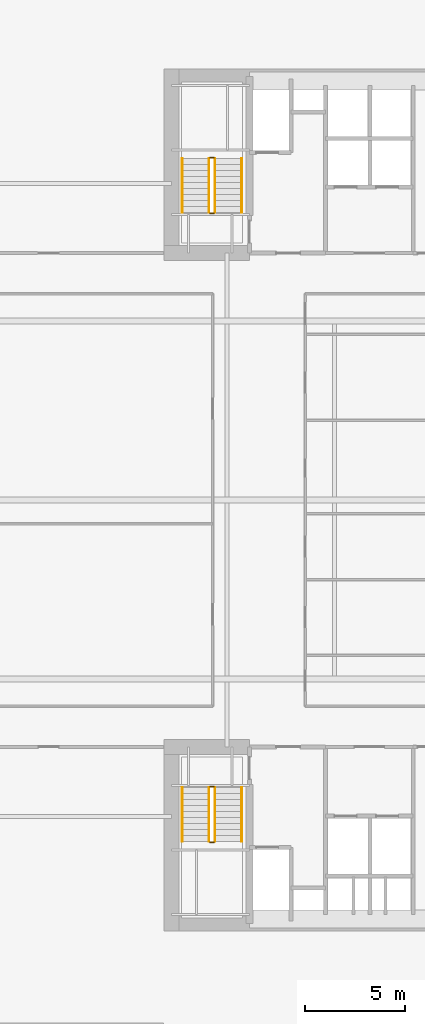
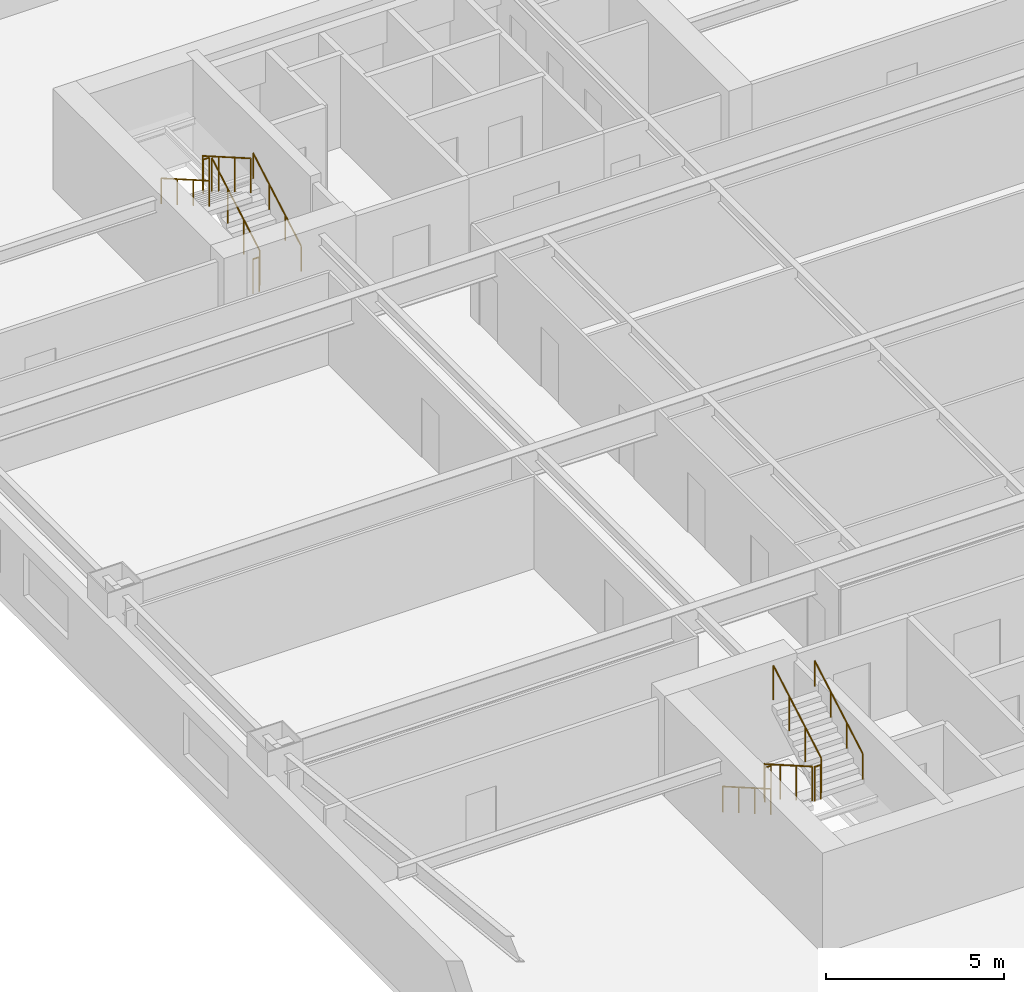
# One storey, part 17 of 18: 12 railings.
"""IFC4 building model written with IfcOpenShell, lengths in metres."""

from ifc_helpers import new_model, si_unit, direction, frame, origin, origin_2d, place, context, subcontext, project, spatial, circle, extrude, material, type_object, element, save


model = new_model("IFC4")

# Units and contexts
model_context = context("Model", 3, precision=1e-05, world=origin(), true_north=direction((0.0, 1.0)))
body_context = subcontext(model_context, "Body", "Model", "MODEL_VIEW")
ifc_project = project(units=[si_unit("LENGTHUNIT", "METRE"), si_unit("AREAUNIT", "SQUARE_METRE"), si_unit("VOLUMEUNIT", "CUBIC_METRE"), si_unit("PLANEANGLEUNIT", "RADIAN"), si_unit("MASSUNIT", "GRAM", prefix="KILO")], contexts=[model_context])

# Site, building, storey
site_placement = place(None, origin())
site = spatial("IfcSite", under=ifc_project, at=site_placement, CompositionType="ELEMENT")
building_placement = place(site_placement, origin())
building = spatial("IfcBuilding", under=site, at=building_placement, Name="Qiaolan Cultural Towers", CompositionType="ELEMENT")
storey_placement = place(building_placement, frame((0.0, 0.0, 74.75)))
storey = spatial("IfcBuildingStorey", under=building, at=storey_placement, Name="L18", CompositionType="ELEMENT", Elevation=74.75)

# Railings
ifc_material_1 = material(Name="Galvanized Painted Steel Stair Guardrail", Category="steel")
railing_type_1 = type_object("IfcRailingType", Name="RL-STAIR-GRD", PredefinedType="GUARDRAIL", material=ifc_material_1)
railing_1_placement = place(storey_placement, frame((23.68994140625, 19.550048828125, 0.172607421875)))
element("IfcRailing", 1, at=railing_1_placement, inside=storey, type_object=railing_type_1, Name="L18 ST-W1 stair guard 1", PredefinedType="GUARDRAIL", context=body_context, shape_type="SweptSolid", body=[
    extrude(circle(Radius=0.02392578125, at=origin_2d()), frame((0.0, 0.0, 1.17578125), z_axis=(0.0, -0.866903762492, 0.498475542607), x_axis=(1.0, 0.0, 0.0)), (0.0, 0.0, 1.0), 3.114501953125),
    extrude(circle(Radius=0.02099609375, at=origin_2d()), origin(), (0.0, 0.0, 1.0), 1.15185546875),
    extrude(circle(Radius=0.02099609375, at=origin_2d()), frame((0.0, -0.89990234375, 0.517578125)), (0.0, 0.0, 1.0), 1.15185546875),
    extrude(circle(Radius=0.02099609375, at=origin_2d()), frame((0.0, -1.800048828125, 1.034912109375)), (0.0, 0.0, 1.0), 1.15185546875),
    extrude(circle(Radius=0.02099609375, at=origin_2d()), frame((0.0, -2.699951171875, 1.552490234375)), (0.0, 0.0, 1.0), 1.15185546875),
])
railing_2_placement = place(storey_placement, frame((23.739990234375, 16.800048828125, 1.72509765625)))
element("IfcRailing", 2, at=railing_2_placement, inside=storey, type_object=railing_type_1, Name="L18 ST-W1 stair guard 2", PredefinedType="GUARDRAIL", context=body_context, shape_type="SweptSolid", body=[
    extrude(circle(Radius=0.02392578125, at=origin_2d()), frame((0.0, 0.0, 1.17578125), z_axis=(1.0, 0.0, 0.0), x_axis=(0.0, 1.0, 0.0)), (0.0, 0.0, 1.0), 0.199951171875),
    extrude(circle(Radius=0.02099609375, at=origin_2d()), origin(), (0.0, 0.0, 1.0), 1.15185546875),
    extrude(circle(Radius=0.02099609375, at=origin_2d()), frame((0.199951171875, 0.0, 0.0)), (0.0, 0.0, 1.0), 1.15185546875),
])
railing_3_placement = place(storey_placement, frame((23.989990234375, 16.85009765625, 1.8974609375)))
element("IfcRailing", 3, at=railing_3_placement, inside=storey, type_object=railing_type_1, Name="L18 ST-W1 stair guard 3", PredefinedType="GUARDRAIL", context=body_context, shape_type="SweptSolid", body=[
    extrude(circle(Radius=0.02392578125, at=origin_2d()), frame((0.0, 0.0, 1.17578125), z_axis=(0.0, 0.866903762492, 0.498475542607), x_axis=(-1.0, 0.0, 0.0)), (0.0, 0.0, 1.0), 3.114501953125),
    extrude(circle(Radius=0.02099609375, at=origin_2d()), origin(), (0.0, 0.0, 1.0), 1.15185546875),
    extrude(circle(Radius=0.02099609375, at=origin_2d()), frame((0.0, 0.89990234375, 0.517578125)), (0.0, 0.0, 1.0), 1.15185546875),
    extrude(circle(Radius=0.02099609375, at=origin_2d()), frame((0.0, 1.800048828125, 1.034912109375)), (0.0, 0.0, 1.0), 1.15185546875),
    extrude(circle(Radius=0.02099609375, at=origin_2d()), frame((0.0, 2.699951171875, 1.552490234375)), (0.0, 0.0, 1.0), 1.15185546875),
])
railing_4_placement = place(storey_placement, frame((23.739990234375, 19.60009765625, 0.0)))
element("IfcRailing", 4, at=railing_4_placement, inside=storey, type_object=railing_type_1, Name="L18 ST-W1 stair guard 4", PredefinedType="GUARDRAIL", context=body_context, shape_type="SweptSolid", body=[
    extrude(circle(Radius=0.02392578125, at=origin_2d()), frame((0.0, 0.0, 1.17578125), z_axis=(1.0, 0.0, 0.0), x_axis=(0.0, 1.0, 0.0)), (0.0, 0.0, 1.0), 0.199951171875),
    extrude(circle(Radius=0.02099609375, at=origin_2d()), origin(), (0.0, 0.0, 1.0), 1.15185546875),
    extrude(circle(Radius=0.02099609375, at=origin_2d()), frame((0.199951171875, 0.0, 0.0)), (0.0, 0.0, 1.0), 1.15185546875),
])
railing_5_placement = place(storey_placement, frame((23.989990234375, 48.449951171875, 0.172607421875)))
element("IfcRailing", 5, at=railing_5_placement, inside=storey, type_object=railing_type_1, Name="L18 ST-W2 stair guard 1", PredefinedType="GUARDRAIL", context=body_context, shape_type="SweptSolid", body=[
    extrude(circle(Radius=0.02392578125, at=origin_2d()), frame((0.0, 0.0, 1.17578125), z_axis=(0.0, 0.866903762492, 0.498475542607), x_axis=(-1.0, 0.0, 0.0)), (0.0, 0.0, 1.0), 3.114501953125),
    extrude(circle(Radius=0.02099609375, at=origin_2d()), origin(), (0.0, 0.0, 1.0), 1.15185546875),
    extrude(circle(Radius=0.02099609375, at=origin_2d()), frame((0.0, 0.89990234375, 0.517578125)), (0.0, 0.0, 1.0), 1.15185546875),
    extrude(circle(Radius=0.02099609375, at=origin_2d()), frame((0.0, 1.800048828125, 1.034912109375)), (0.0, 0.0, 1.0), 1.15185546875),
    extrude(circle(Radius=0.02099609375, at=origin_2d()), frame((0.0, 2.699951171875, 1.552490234375)), (0.0, 0.0, 1.0), 1.15185546875),
])
railing_6_placement = place(storey_placement, frame((23.93994140625, 51.199951171875, 1.72509765625)))
element("IfcRailing", 6, at=railing_6_placement, inside=storey, type_object=railing_type_1, Name="L18 ST-W2 stair guard 2", PredefinedType="GUARDRAIL", context=body_context, shape_type="SweptSolid", body=[
    extrude(circle(Radius=0.02392578125, at=origin_2d()), frame((0.0, 0.0, 1.17578125), z_axis=(-1.0, 0.0, 0.0), x_axis=(0.0, -1.0, 0.0)), (0.0, 0.0, 1.0), 0.199951171875),
    extrude(circle(Radius=0.02099609375, at=origin_2d()), origin(), (0.0, 0.0, 1.0), 1.15185546875),
    extrude(circle(Radius=0.02099609375, at=origin_2d()), frame((-0.199951171875, 0.0, 0.0)), (0.0, 0.0, 1.0), 1.15185546875),
])
railing_7_placement = place(storey_placement, frame((23.68994140625, 51.14990234375, 1.8974609375)))
element("IfcRailing", 7, at=railing_7_placement, inside=storey, type_object=railing_type_1, Name="L18 ST-W2 stair guard 3", PredefinedType="GUARDRAIL", context=body_context, shape_type="SweptSolid", body=[
    extrude(circle(Radius=0.02392578125, at=origin_2d()), frame((0.0, 0.0, 1.17578125), z_axis=(0.0, -0.866903762492, 0.498475542607), x_axis=(1.0, 0.0, 0.0)), (0.0, 0.0, 1.0), 3.114501953125),
    extrude(circle(Radius=0.02099609375, at=origin_2d()), origin(), (0.0, 0.0, 1.0), 1.15185546875),
    extrude(circle(Radius=0.02099609375, at=origin_2d()), frame((0.0, -0.89990234375, 0.517578125)), (0.0, 0.0, 1.0), 1.15185546875),
    extrude(circle(Radius=0.02099609375, at=origin_2d()), frame((0.0, -1.800048828125, 1.034912109375)), (0.0, 0.0, 1.0), 1.15185546875),
    extrude(circle(Radius=0.02099609375, at=origin_2d()), frame((0.0, -2.699951171875, 1.552490234375)), (0.0, 0.0, 1.0), 1.15185546875),
])
railing_8_placement = place(storey_placement, frame((23.93994140625, 48.39990234375, 0.0)))
element("IfcRailing", 8, at=railing_8_placement, inside=storey, type_object=railing_type_1, Name="L18 ST-W2 stair guard 4", PredefinedType="GUARDRAIL", context=body_context, shape_type="SweptSolid", body=[
    extrude(circle(Radius=0.02392578125, at=origin_2d()), frame((0.0, 0.0, 1.17578125), z_axis=(-1.0, 0.0, 0.0), x_axis=(0.0, -1.0, 0.0)), (0.0, 0.0, 1.0), 0.199951171875),
    extrude(circle(Radius=0.02099609375, at=origin_2d()), origin(), (0.0, 0.0, 1.0), 1.15185546875),
    extrude(circle(Radius=0.02099609375, at=origin_2d()), frame((-0.199951171875, 0.0, 0.0)), (0.0, 0.0, 1.0), 1.15185546875),
])
ifc_material_2 = material(Name="Stainless Steel S30408 Tubular Handrail", Category="steel")
railing_type_2 = type_object("IfcRailingType", Name="RL-STAIR-HR", PredefinedType="HANDRAIL", material=ifc_material_2)
railing_9_placement = place(storey_placement, frame((22.35009765625, 19.550048828125, 0.172607421875)))
element("IfcRailing", 9, at=railing_9_placement, inside=storey, type_object=railing_type_2, Name="L18 ST-W1 stair handrail 1", PredefinedType="HANDRAIL", context=body_context, shape_type="SweptSolid", body=[
    extrude(circle(Radius=0.02392578125, at=origin_2d()), frame((0.0, 0.0, 0.8759765625), z_axis=(0.0, -0.866903762492, 0.498475542607), x_axis=(1.0, 0.0, 0.0)), (0.0, 0.0, 1.0), 3.114501953125),
    extrude(circle(Radius=0.02099609375, at=origin_2d()), origin(), (0.0, 0.0, 1.0), 0.851806640625),
    extrude(circle(Radius=0.02099609375, at=origin_2d()), frame((0.0, -0.89990234375, 0.517578125)), (0.0, 0.0, 1.0), 0.851806640625),
    extrude(circle(Radius=0.02099609375, at=origin_2d()), frame((0.0, -1.800048828125, 1.034912109375)), (0.0, 0.0, 1.0), 0.851806640625),
    extrude(circle(Radius=0.02099609375, at=origin_2d()), frame((0.0, -2.699951171875, 1.552490234375)), (0.0, 0.0, 1.0), 0.851806640625),
])
for number, where, name in (
    (10, (25.330078125, 16.85009765625, 1.8974609375), "L18 ST-W1 stair handrail 2"),
    (11, (25.330078125, 48.449951171875, 0.172607421875), "L18 ST-W2 stair handrail 1"),
):
    element("IfcRailing", number, at=place(storey_placement, frame(where)), inside=storey, type_object=railing_type_2, Name=name, PredefinedType="HANDRAIL", context=body_context, shape_type="SweptSolid", body=[
        extrude(circle(Radius=0.02392578125, at=origin_2d()), frame((0.0, 0.0, 0.8759765625), z_axis=(0.0, 0.866903762492, 0.498475542607), x_axis=(-1.0, 0.0, 0.0)), (0.0, 0.0, 1.0), 3.114501953125),
        extrude(circle(Radius=0.02099609375, at=origin_2d()), origin(), (0.0, 0.0, 1.0), 0.851806640625),
        extrude(circle(Radius=0.02099609375, at=origin_2d()), frame((0.0, 0.89990234375, 0.517578125)), (0.0, 0.0, 1.0), 0.851806640625),
        extrude(circle(Radius=0.02099609375, at=origin_2d()), frame((0.0, 1.800048828125, 1.034912109375)), (0.0, 0.0, 1.0), 0.851806640625),
        extrude(circle(Radius=0.02099609375, at=origin_2d()), frame((0.0, 2.699951171875, 1.552490234375)), (0.0, 0.0, 1.0), 0.851806640625),
    ])
railing_10_placement = place(storey_placement, frame((22.35009765625, 51.14990234375, 1.8974609375)))
element("IfcRailing", 12, at=railing_10_placement, inside=storey, type_object=railing_type_2, Name="L18 ST-W2 stair handrail 2", PredefinedType="HANDRAIL", context=body_context, shape_type="SweptSolid", body=[
    extrude(circle(Radius=0.02392578125, at=origin_2d()), frame((0.0, 0.0, 0.8759765625), z_axis=(0.0, -0.866903762492, 0.498475542607), x_axis=(1.0, 0.0, 0.0)), (0.0, 0.0, 1.0), 3.114501953125),
    extrude(circle(Radius=0.02099609375, at=origin_2d()), origin(), (0.0, 0.0, 1.0), 0.851806640625),
    extrude(circle(Radius=0.02099609375, at=origin_2d()), frame((0.0, -0.89990234375, 0.517578125)), (0.0, 0.0, 1.0), 0.851806640625),
    extrude(circle(Radius=0.02099609375, at=origin_2d()), frame((0.0, -1.800048828125, 1.034912109375)), (0.0, 0.0, 1.0), 0.851806640625),
    extrude(circle(Radius=0.02099609375, at=origin_2d()), frame((0.0, -2.699951171875, 1.552490234375)), (0.0, 0.0, 1.0), 0.851806640625),
])

save(model, "model.ifc")
